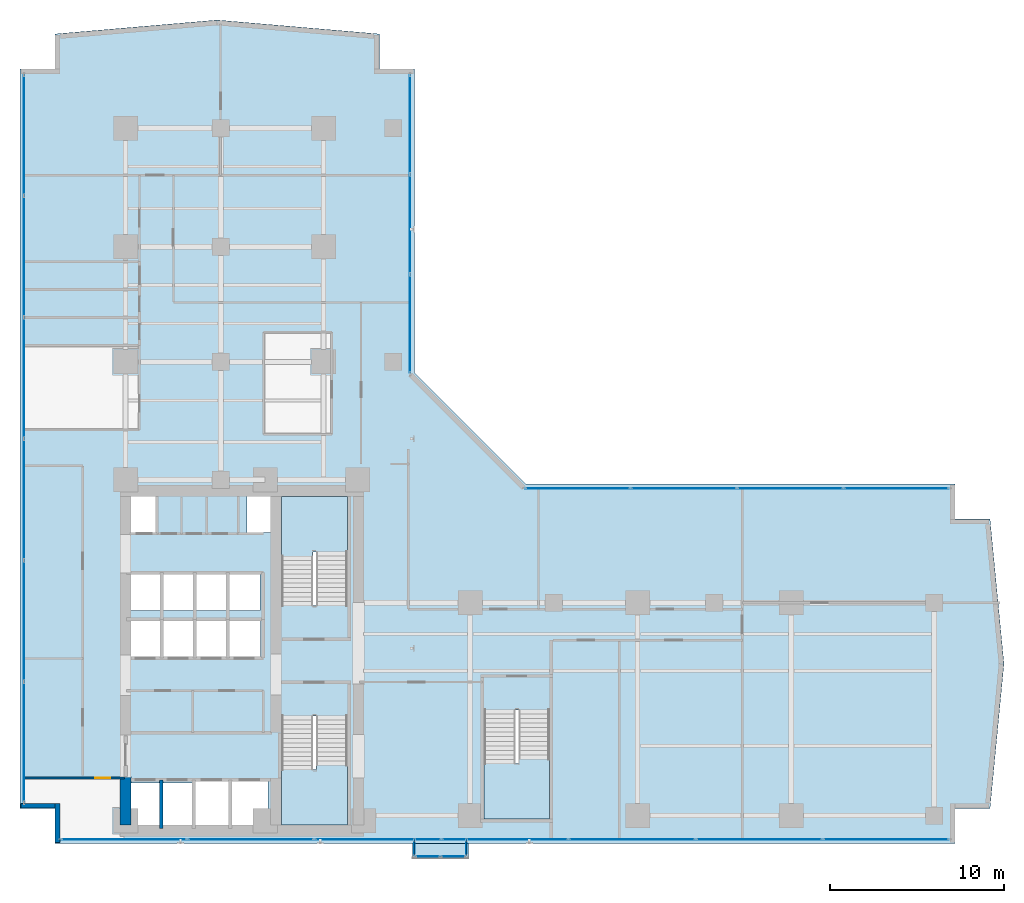
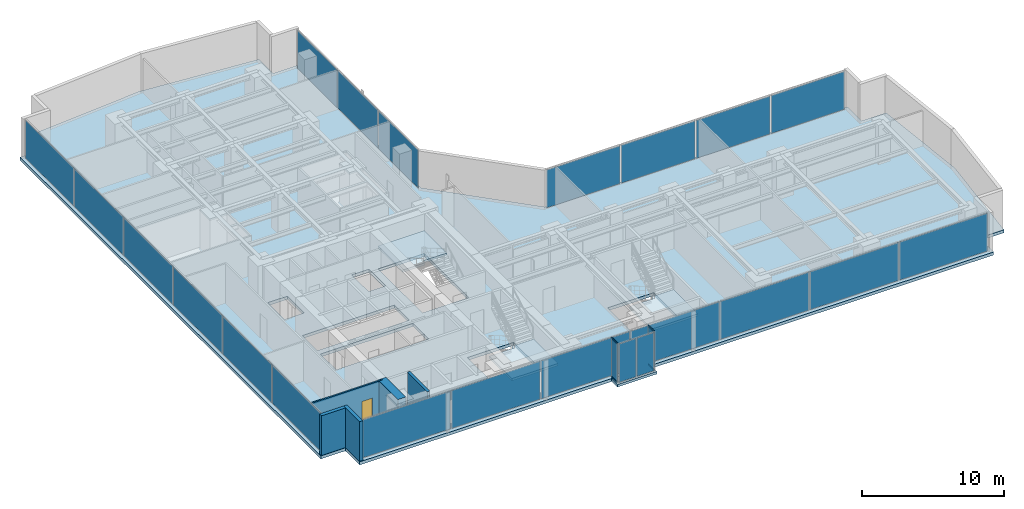
# One storey, part 18 of 25: 24 plates, 5 slabs, 5 walls, 4 members, 1 door, 1 opening, 10 elements without a shape of their own.
"""IFC4 building model written with IfcOpenShell, lengths in metres."""

from ifc_helpers import new_model, si_unit, direction, frame, frame_2d, origin, origin_with_axes, origin_2d, place, context, subcontext, project, spatial, polyline, rectangle, hollow_rectangle, outline, extrude, source, transform, mapped, material, layer, layer_set, material_profile, profile_set, type_object, element, fill, aggregate, save


model = new_model("IFC4")

# Units and contexts
model_context = context("Model", 3, precision=1e-05, world=origin(), true_north=direction((0.0, 1.0)))
body_context = subcontext(model_context, "Body", "Model", "MODEL_VIEW")
ifc_project = project(units=[si_unit("LENGTHUNIT", "METRE"), si_unit("AREAUNIT", "SQUARE_METRE"), si_unit("VOLUMEUNIT", "CUBIC_METRE"), si_unit("PLANEANGLEUNIT", "RADIAN"), si_unit("MASSUNIT", "GRAM", prefix="KILO")], contexts=[model_context])

# Site, building, storey
site_placement = place(None, origin())
site = spatial("IfcSite", under=ifc_project, at=site_placement, CompositionType="ELEMENT")
building_placement = place(site_placement, origin())
building = spatial("IfcBuilding", under=site, at=building_placement, Name="Kolvaren Waterfront Exchange", CompositionType="ELEMENT")
storey_placement = place(building_placement, frame((0.0, 0.0, 137.300048828125)))
storey = spatial("IfcBuildingStorey", under=building, at=storey_placement, Name="L35", CompositionType="ELEMENT", Elevation=137.300048828125)

# Curtain wall, members
ifc_material_1 = material(Name="Anodised bronze aluminium 6063-T6", Category="aluminium")
ifc_layer_1 = layer(ifc_material_1, 0.219970703125, Name="Anodised bronze aluminium 6063-T6")
ifc_layer_set_1 = layer_set([ifc_layer_1], Name="Anodised bronze aluminium 6063-T6")
curtain_wall_type_1 = type_object("IfcCurtainWallType", Name="ARC-CW-SYS3", PredefinedType="USERDEFINED", material=ifc_layer_set_1)
curtain_wall_1_placement = place(storey_placement, origin())
curtain_wall_1 = element("IfcCurtainWall", 1, at=curtain_wall_1_placement, inside=storey, type_object=curtain_wall_type_1, Name="L35 stick curtain wall CW3 (CW-L35-BOX-W)", ObjectType="STICK CURTAIN WALL", PredefinedType="USERDEFINED")
ifc_material_profile = material_profile(ifc_material_1, hollow_rectangle(XDim=0.06494140625, YDim=0.1298828125, WallThickness=0.00390625, at=origin_2d()), Name="ALU-TRN-130x65x4")
ifc_profile_set = profile_set([ifc_material_profile], Name="Anodised bronze aluminium 6063-T6")
member_type = type_object("IfcMemberType", Name="ARC-CWT-130", PredefinedType="USERDEFINED", material=ifc_profile_set)
shared_shape_1 = source(origin_with_axes(), body_context, "Body", "SweptSolid", [
    extrude(hollow_rectangle(XDim=0.06494140625, YDim=0.1298828125, WallThickness=0.00390625, at=origin_2d()), origin(), (0.0, 0.0, 1.0), 0.829833984375),
])
member_1_placement = place(storey_placement, frame((24.010009765625, 3.764892578125, 0.032470703125), z_axis=(0.0, -1.0, 0.0), x_axis=(1.0, 0.0, 0.0)))
member_1 = element("IfcMember", 2, at=member_1_placement, type_object=member_type, Name="CW3 transom 1.1", ObjectType="TRANSOM", PredefinedType="USERDEFINED", context=body_context, shape_type="MappedRepresentation", body=[
    mapped(shared_shape_1, transform((0.0, 0.0, 0.0), x_axis=(1.0, 0.0, 0.0), y_axis=(0.0, 1.0, 0.0), z_axis=(0.0, 0.0, 1.0), scale=1.0)),
])
member_2_placement = place(storey_placement, frame((24.010009765625, 3.764892578125, 3.387451171875), z_axis=(0.0, -1.0, 0.0), x_axis=(1.0, 0.0, 0.0)))
member_2 = element("IfcMember", 3, at=member_2_placement, type_object=member_type, Name="CW3 transom 1.2", ObjectType="TRANSOM", PredefinedType="USERDEFINED", context=body_context, shape_type="MappedRepresentation", body=[
    mapped(shared_shape_1, transform((0.0, 0.0, 0.0), x_axis=(1.0, 0.0, 0.0), y_axis=(0.0, 1.0, 0.0), z_axis=(0.0, 0.0, 1.0), scale=1.0)),
])

curtain_wall_2_placement = place(storey_placement, origin())
curtain_wall_2 = element("IfcCurtainWall", 4, at=curtain_wall_2_placement, inside=storey, type_object=curtain_wall_type_1, Name="L35 stick curtain wall CW3 (CW-L35-BOX-E)", ObjectType="STICK CURTAIN WALL", PredefinedType="USERDEFINED")
member_3_placement = place(storey_placement, frame((26.989990234375, 2.93505859375, 0.032470703125), z_axis=(0.0, 1.0, 0.0), x_axis=(-1.0, 0.0, 0.0)))
member_3 = element("IfcMember", 5, at=member_3_placement, type_object=member_type, Name="CW3 transom 1.1", ObjectType="TRANSOM", PredefinedType="USERDEFINED", context=body_context, shape_type="MappedRepresentation", body=[
    mapped(shared_shape_1, transform((0.0, 0.0, 0.0), x_axis=(1.0, 0.0, 0.0), y_axis=(0.0, 1.0, 0.0), z_axis=(0.0, 0.0, 1.0), scale=1.0)),
])
member_4_placement = place(storey_placement, frame((26.989990234375, 2.93505859375, 3.387451171875), z_axis=(0.0, 1.0, 0.0), x_axis=(-1.0, 0.0, 0.0)))
member_4 = element("IfcMember", 6, at=member_4_placement, type_object=member_type, Name="CW3 transom 1.2", ObjectType="TRANSOM", PredefinedType="USERDEFINED", context=body_context, shape_type="MappedRepresentation", body=[
    mapped(shared_shape_1, transform((0.0, 0.0, 0.0), x_axis=(1.0, 0.0, 0.0), y_axis=(0.0, 1.0, 0.0), z_axis=(0.0, 0.0, 1.0), scale=1.0)),
])

# Stair, slab
ifc_material_2 = material(Name="Concrete C40/50", Category="concrete")
stair_type = type_object("IfcStairType", Name="ARC-STAIR-3800", PredefinedType="HALF_TURN_STAIR", material=ifc_material_2)
stair_1_placement = place(storey_placement, origin())
stair_1 = element("IfcStair", 7, at=stair_1_placement, inside=storey, type_object=stair_type, Name="L35 Smoke-proof exit stair ST1", PredefinedType="HALF_TURN_STAIR")
ifc_layer_2 = layer(ifc_material_2, 0.199951171875, Name="Concrete C40/50")
ifc_layer_set_2 = layer_set([ifc_layer_2], Name="Concrete C40/50")
slab_type_1 = type_object("IfcSlabType", Name="STR-LANDING-200", PredefinedType="LANDING", material=ifc_layer_set_2)
slab_1_placement = place(storey_placement, frame((0.0, 0.0, 1.77587890625)))
slab_1 = element("IfcSlab", 8, at=slab_1_placement, type_object=slab_type_1, Name="ST1 landing 1", PredefinedType="LANDING", context=body_context, shape_type="SweptSolid", body=[
    extrude(outline(polyline([(16.39990234375, 7.840087890625), (16.39990234375, 4.64990234375), (20.159912109375, 4.64990234375), (20.159912109375, 8.10009765625), (18.360107421875, 8.10009765625), (18.360107421875, 7.840087890625), (16.39990234375, 7.840087890625)])), origin(), (0.0, 0.0, 1.0), 0.199951171875),
])
aggregate(stair_1, [slab_1])

stair_2_placement = place(storey_placement, origin())
stair_2 = element("IfcStair", 9, at=stair_2_placement, inside=storey, type_object=stair_type, Name="L35 Smoke-proof exit stair ST2", PredefinedType="HALF_TURN_STAIR")
slab_2_placement = place(storey_placement, frame((0.0, 0.0, 1.77587890625)))
slab_2 = element("IfcSlab", 10, at=slab_2_placement, type_object=slab_type_1, Name="ST2 landing 1", PredefinedType="LANDING", context=body_context, shape_type="SweptSolid", body=[
    extrude(outline(polyline([(20.159912109375, 20.31005859375), (20.159912109375, 23.5), (16.39990234375, 23.5), (16.39990234375, 20.050048828125), (18.199951171875, 20.050048828125), (18.199951171875, 20.31005859375), (20.159912109375, 20.31005859375)])), origin(), (0.0, 0.0, 1.0), 0.199951171875),
])
aggregate(stair_2, [slab_2])

stair_3_placement = place(storey_placement, origin())
stair_3 = element("IfcStair", 11, at=stair_3_placement, inside=storey, type_object=stair_type, Name="L35 Exit stair ST3", PredefinedType="HALF_TURN_STAIR")
slab_3_placement = place(storey_placement, frame((0.0, 0.0, 1.77587890625)))
slab_3 = element("IfcSlab", 12, at=slab_3_placement, type_object=slab_type_1, Name="ST3 landing 1", PredefinedType="LANDING", context=body_context, shape_type="SweptSolid", body=[
    extrude(outline(polyline([(28.0, 8.18994140625), (28.0, 5.0), (31.760009765625, 5.0), (31.760009765625, 8.449951171875), (29.9599609375, 8.449951171875), (29.9599609375, 8.18994140625), (28.0, 8.18994140625)])), origin(), (0.0, 0.0, 1.0), 0.199951171875),
])
aggregate(stair_3, [slab_3])

# Slabs
ifc_layer_3 = layer(ifc_material_2, 0.260009765625, Name="Concrete C40/50")
ifc_layer_set_3 = layer_set([ifc_layer_3], Name="Concrete C40/50")
slab_type_2 = type_object("IfcSlabType", Name="STR-SLAB-260", PredefinedType="FLOOR", material=ifc_layer_set_3)
slab_4_placement = place(storey_placement, frame((0.0, 0.0, -0.260009765625)))
element("IfcSlab", 13, at=slab_4_placement, inside=storey, type_object=slab_type_2, Name="L35 structural floor slab", PredefinedType="FLOOR", context=body_context, shape_type="SweptSolid", body=[
    extrude(outline(polyline([(3.39990234375, 3.60009765625), (55.0, 3.60009765625), (55.0, 5.60009765625), (57.0, 5.60009765625), (57.800048828125, 13.89990234375), (57.0, 22.199951171875), (55.0, 22.199951171875), (55.0, 24.199951171875), (30.39990234375, 24.199951171875), (24.0, 30.60009765625), (24.0, 48.0), (22.0, 48.0), (22.0, 50.0), (12.699951171875, 50.800048828125), (3.39990234375, 50.0), (3.39990234375, 48.0), (1.39990234375, 48.0), (1.39990234375, 5.60009765625), (3.39990234375, 5.60009765625), (3.39990234375, 3.60009765625)]), holes=[polyline([(11.320068359375, 7.260009765625), (15.610107421875, 7.260009765625), (15.610107421875, 4.5400390625), (7.719970703125, 4.5400390625), (7.719970703125, 7.06005859375), (11.320068359375, 7.06005859375), (11.320068359375, 7.260009765625)]), polyline([(20.159912109375, 10.89990234375), (20.159912109375, 4.64990234375), (16.39990234375, 4.64990234375), (16.39990234375, 10.89990234375), (20.159912109375, 10.89990234375)]), polyline([(31.760009765625, 11.25), (31.760009765625, 5.0), (28.0, 5.0), (28.0, 11.25), (31.760009765625, 11.25)]), polyline([(15.18505859375, 14.239990234375), (7.64501953125, 14.239990234375), (7.64501953125, 16.4599609375), (15.18505859375, 16.4599609375), (15.18505859375, 14.239990234375)]), polyline([(15.159912109375, 16.93994140625), (7.669921875, 16.93994140625), (7.669921875, 19.06005859375), (15.159912109375, 19.06005859375), (15.159912109375, 16.93994140625)]), polyline([(16.39990234375, 23.5), (20.159912109375, 23.5), (20.159912109375, 17.25), (16.39990234375, 17.25), (16.39990234375, 23.5)]), polyline([(7.60009765625, 23.780029296875), (9.179931640625, 23.780029296875), (9.179931640625, 21.419921875), (7.60009765625, 21.419921875), (7.60009765625, 23.780029296875)]), polyline([(15.800048828125, 23.780029296875), (15.800048828125, 21.419921875), (14.419921875, 21.419921875), (14.419921875, 23.780029296875), (15.800048828125, 23.780029296875)])]), origin(), (0.0, 0.0, 1.0), 0.260009765625),
])
ifc_layer_4 = layer(ifc_material_2, 0.219970703125, Name="Concrete C40/50")
ifc_layer_set_4 = layer_set([ifc_layer_4], Name="Concrete C40/50")
slab_type_3 = type_object("IfcSlabType", Name="STR-TERR-220", PredefinedType="FLOOR", material=ifc_layer_set_4)
slab_5_placement = place(storey_placement, frame((0.0, 0.0, -0.219970703125)))
element("IfcSlab", 14, at=slab_5_placement, inside=storey, type_object=slab_type_3, Name="L35 projecting bay-box floor strip", PredefinedType="FLOOR", context=body_context, shape_type="SweptSolid", body=[
    extrude(outline(polyline([(23.89990234375, 2.75), (27.10009765625, 2.75), (27.10009765625, 3.60009765625), (23.89990234375, 3.60009765625), (23.89990234375, 2.75)])), origin(), (0.0, 0.0, 1.0), 0.219970703125),
])

# Plate
ifc_material_3 = material(Name="Bronze tinted bay-box vision glass", Category="aluminium")
ifc_layer_5 = layer(ifc_material_3, 0.02392578125, Name="Bronze tinted bay-box vision glass")
ifc_layer_set_5 = layer_set([ifc_layer_5], Name="Bronze tinted bay-box vision glass")
plate_type_1 = type_object("IfcPlateType", Name="ARC-CWP-24", PredefinedType="CURTAIN_PANEL", material=ifc_layer_set_5)
shared_shape_2 = source(origin_with_axes(), body_context, "Body", "SweptSolid", [
    extrude(rectangle(XDim=0.830078125, YDim=0.02392578125, at=origin_2d()), origin(), (0.0, 0.0, 1.0), 3.2900390625),
])
plate_1_placement = place(storey_placement, frame((24.010009765625, 3.35009765625, 0.06494140625), z_axis=(0.0, 0.0, 1.0), x_axis=(0.0, -1.0, 0.0)))
plate_1 = element("IfcPlate", 15, at=plate_1_placement, type_object=plate_type_1, Name="CW3 panel 1.1", PredefinedType="CURTAIN_PANEL", context=body_context, shape_type="MappedRepresentation", body=[
    mapped(shared_shape_2, transform((0.0, 0.0, 0.0), x_axis=(1.0, 0.0, 0.0), y_axis=(0.0, 1.0, 0.0), z_axis=(0.0, 0.0, 1.0), scale=1.0)),
])

aggregate(curtain_wall_1, [member_1, member_2, plate_1])

plate_2_placement = place(storey_placement, frame((26.989990234375, 3.35009765625, 0.06494140625), z_axis=(0.0, 0.0, 1.0), x_axis=(0.0, 1.0, 0.0)))
plate_2 = element("IfcPlate", 16, at=plate_2_placement, type_object=plate_type_1, Name="CW3 panel 1.1", PredefinedType="CURTAIN_PANEL", context=body_context, shape_type="MappedRepresentation", body=[
    mapped(shared_shape_2, transform((0.0, 0.0, 0.0), x_axis=(1.0, 0.0, 0.0), y_axis=(0.0, 1.0, 0.0), z_axis=(0.0, 0.0, 1.0), scale=1.0)),
])

aggregate(curtain_wall_2, [member_3, member_4, plate_2])

# Curtain wall, plates
curtain_wall_3_placement = place(storey_placement, origin())
curtain_wall_3 = element("IfcCurtainWall", 17, at=curtain_wall_3_placement, inside=storey, type_object=curtain_wall_type_1, Name="L35 stick curtain wall CW3 (CW-L35-BOX)", ObjectType="STICK CURTAIN WALL", PredefinedType="USERDEFINED")
shared_shape_3 = source(origin_with_axes(), body_context, "Body", "SweptSolid", [
    extrude(rectangle(XDim=1.37744140625, YDim=0.02392578125, at=origin_2d()), origin(), (0.0, 0.0, 1.0), 3.2900390625),
])
plate_3_placement = place(storey_placement, frame((24.773681640625, 2.860107421875, 0.06494140625), z_axis=(0.0, 0.0, 1.0), x_axis=(1.0, 0.0, 0.0)))
plate_3 = element("IfcPlate", 18, at=plate_3_placement, type_object=plate_type_1, Name="CW3 panel 1.1", PredefinedType="CURTAIN_PANEL", context=body_context, shape_type="MappedRepresentation", body=[
    mapped(shared_shape_3, transform((0.0, 0.0, 0.0), x_axis=(1.0, 0.0, 0.0), y_axis=(0.0, 1.0, 0.0), z_axis=(0.0, 0.0, 1.0), scale=1.0)),
])
plate_4_placement = place(storey_placement, frame((26.226318359375, 2.860107421875, 0.06494140625), z_axis=(0.0, 0.0, 1.0), x_axis=(1.0, 0.0, 0.0)))
plate_4 = element("IfcPlate", 19, at=plate_4_placement, type_object=plate_type_1, Name="CW3 panel 2.1", PredefinedType="CURTAIN_PANEL", context=body_context, shape_type="MappedRepresentation", body=[
    mapped(shared_shape_3, transform((0.0, 0.0, 0.0), x_axis=(1.0, 0.0, 0.0), y_axis=(0.0, 1.0, 0.0), z_axis=(0.0, 0.0, 1.0), scale=1.0)),
])
aggregate(curtain_wall_3, [plate_3, plate_4])

ifc_layer_6 = layer(ifc_material_1, 0.219970703125, Name="Anodised bronze aluminium 6063-T6")
ifc_layer_set_6 = layer_set([ifc_layer_6], Name="Anodised bronze aluminium 6063-T6")
curtain_wall_type_2 = type_object("IfcCurtainWallType", Name="ARC-CW-SYS1", PredefinedType="USERDEFINED", material=ifc_layer_set_6)
curtain_wall_4_placement = place(storey_placement, origin())
curtain_wall_4 = element("IfcCurtainWall", 20, at=curtain_wall_4_placement, inside=storey, type_object=curtain_wall_type_2, Name="L35 stick curtain wall CW1 (CW-L35-S)", ObjectType="STICK CURTAIN WALL", PredefinedType="USERDEFINED")
ifc_material_4 = material(Name="Bronze solar control vision glass", Category="aluminium")
ifc_layer_7 = layer(ifc_material_4, 0.028076171875, Name="Bronze solar control vision glass")
ifc_layer_set_7 = layer_set([ifc_layer_7], Name="Bronze solar control vision glass")
plate_type_2 = type_object("IfcPlateType", Name="ARC-CWP-28", PredefinedType="CURTAIN_PANEL", material=ifc_layer_set_7)
shared_shape_4 = source(origin_with_axes(), body_context, "Body", "SweptSolid", [
    extrude(rectangle(XDim=7.165771484375, YDim=0.028076171875, at=origin_2d()), origin(), (0.0, 0.0, 1.0), 3.27001953125),
])
plate_5_placement = place(storey_placement, frame((7.36279296875, 3.840087890625, 0.074951171875), z_axis=(0.0, 0.0, 1.0), x_axis=(1.0, 0.0, 0.0)))
plate_5 = element("IfcPlate", 21, at=plate_5_placement, type_object=plate_type_2, Name="CW1 panel 1.1", PredefinedType="CURTAIN_PANEL", context=body_context, shape_type="MappedRepresentation", body=[
    mapped(shared_shape_4, transform((0.0, 0.0, 0.0), x_axis=(1.0, 0.0, 0.0), y_axis=(0.0, 1.0, 0.0), z_axis=(0.0, 0.0, 1.0), scale=1.0)),
])
plate_6_placement = place(storey_placement, frame((51.037109375, 3.840087890625, 0.074951171875), z_axis=(0.0, 0.0, 1.0), x_axis=(1.0, 0.0, 0.0)))
plate_6 = element("IfcPlate", 22, at=plate_6_placement, type_object=plate_type_2, Name="CW1 panel 7.1", PredefinedType="CURTAIN_PANEL", context=body_context, shape_type="MappedRepresentation", body=[
    mapped(shared_shape_4, transform((0.0, 0.0, 0.0), x_axis=(1.0, 0.0, 0.0), y_axis=(0.0, 1.0, 0.0), z_axis=(0.0, 0.0, 1.0), scale=1.0)),
])
shared_shape_5 = source(origin_with_axes(), body_context, "Body", "SweptSolid", [
    extrude(rectangle(XDim=7.205810546875, YDim=0.028076171875, at=origin_2d()), origin(), (0.0, 0.0, 1.0), 3.27001953125),
])
plate_7_placement = place(storey_placement, frame((14.628662109375, 3.840087890625, 0.074951171875), z_axis=(0.0, 0.0, 1.0), x_axis=(1.0, 0.0, 0.0)))
plate_7 = element("IfcPlate", 23, at=plate_7_placement, type_object=plate_type_2, Name="CW1 panel 2.1", PredefinedType="CURTAIN_PANEL", context=body_context, shape_type="MappedRepresentation", body=[
    mapped(shared_shape_5, transform((0.0, 0.0, 0.0), x_axis=(1.0, 0.0, 0.0), y_axis=(0.0, 1.0, 0.0), z_axis=(0.0, 0.0, 1.0), scale=1.0)),
])
plate_8_placement = place(storey_placement, frame((21.914306640625, 3.840087890625, 0.074951171875), z_axis=(0.0, 0.0, 1.0), x_axis=(1.0, 0.0, 0.0)))
plate_8 = element("IfcPlate", 24, at=plate_8_placement, type_object=plate_type_2, Name="CW1 panel 3.1", PredefinedType="CURTAIN_PANEL", context=body_context, shape_type="MappedRepresentation", body=[
    mapped(shared_shape_5, transform((0.0, 0.0, 0.0), x_axis=(1.0, 0.0, 0.0), y_axis=(0.0, 1.0, 0.0), z_axis=(0.0, 0.0, 1.0), scale=1.0)),
])
plate_9_placement = place(storey_placement, frame((29.199951171875, 3.840087890625, 0.074951171875), z_axis=(0.0, 0.0, 1.0), x_axis=(1.0, 0.0, 0.0)))
plate_9 = element("IfcPlate", 25, at=plate_9_placement, type_object=plate_type_2, Name="CW1 panel 4.1", PredefinedType="CURTAIN_PANEL", context=body_context, shape_type="MappedRepresentation", body=[
    mapped(shared_shape_5, transform((0.0, 0.0, 0.0), x_axis=(1.0, 0.0, 0.0), y_axis=(0.0, 1.0, 0.0), z_axis=(0.0, 0.0, 1.0), scale=1.0)),
])
plate_10_placement = place(storey_placement, frame((36.485595703125, 3.840087890625, 0.074951171875), z_axis=(0.0, 0.0, 1.0), x_axis=(1.0, 0.0, 0.0)))
plate_10 = element("IfcPlate", 26, at=plate_10_placement, type_object=plate_type_2, Name="CW1 panel 5.1", PredefinedType="CURTAIN_PANEL", context=body_context, shape_type="MappedRepresentation", body=[
    mapped(shared_shape_5, transform((0.0, 0.0, 0.0), x_axis=(1.0, 0.0, 0.0), y_axis=(0.0, 1.0, 0.0), z_axis=(0.0, 0.0, 1.0), scale=1.0)),
])
plate_11_placement = place(storey_placement, frame((43.771484375, 3.840087890625, 0.074951171875), z_axis=(0.0, 0.0, 1.0), x_axis=(1.0, 0.0, 0.0)))
plate_11 = element("IfcPlate", 27, at=plate_11_placement, type_object=plate_type_2, Name="CW1 panel 6.1", PredefinedType="CURTAIN_PANEL", context=body_context, shape_type="MappedRepresentation", body=[
    mapped(shared_shape_5, transform((0.0, 0.0, 0.0), x_axis=(1.0, 0.0, 0.0), y_axis=(0.0, 1.0, 0.0), z_axis=(0.0, 0.0, 1.0), scale=1.0)),
])
aggregate(curtain_wall_4, [plate_5, plate_7, plate_8, plate_9, plate_10, plate_11, plate_6])

ifc_material_5 = material(Name="Anodised aluminium 6063-T6", Category="aluminium")
ifc_layer_8 = layer(ifc_material_5, 0.219970703125, Name="Anodised aluminium 6063-T6")
ifc_layer_set_8 = layer_set([ifc_layer_8], Name="Anodised aluminium 6063-T6")
curtain_wall_type_3 = type_object("IfcCurtainWallType", Name="ARC-CW-SYS2", PredefinedType="USERDEFINED", material=ifc_layer_set_8)
curtain_wall_5_placement = place(storey_placement, origin())
curtain_wall_5 = element("IfcCurtainWall", 28, at=curtain_wall_5_placement, inside=storey, type_object=curtain_wall_type_3, Name="L35 stick curtain wall CW2 (CW-L35-W)", ObjectType="STICK CURTAIN WALL", PredefinedType="USERDEFINED")
ifc_material_6 = material(Name="Acoustic laminated vision glass", Category="glass")
ifc_layer_9 = layer(ifc_material_6, 0.031982421875, Name="Acoustic laminated vision glass")
ifc_layer_set_9 = layer_set([ifc_layer_9], Name="Acoustic laminated vision glass")
plate_type_3 = type_object("IfcPlateType", Name="ARC-CWP-32", PredefinedType="CURTAIN_PANEL", material=ifc_layer_set_9)
shared_shape_6 = source(origin_with_axes(), body_context, "Body", "SweptSolid", [
    extrude(rectangle(XDim=6.8466796875, YDim=0.031982421875, at=origin_2d()), origin(), (0.0, 0.0, 1.0), 3.27001953125),
])
plate_12_placement = place(storey_placement, frame((1.639892578125, 9.4033203125, 0.074951171875), z_axis=(0.0, 0.0, 1.0), x_axis=(0.0, 1.0, 0.0)))
plate_12 = element("IfcPlate", 29, at=plate_12_placement, type_object=plate_type_3, Name="CW2 panel 1.1", PredefinedType="CURTAIN_PANEL", context=body_context, shape_type="MappedRepresentation", body=[
    mapped(shared_shape_6, transform((0.0, 0.0, 0.0), x_axis=(1.0, 0.0, 0.0), y_axis=(0.0, 1.0, 0.0), z_axis=(0.0, 0.0, 1.0), scale=1.0)),
])
plate_13_placement = place(storey_placement, frame((1.639892578125, 44.19677734375, 0.074951171875), z_axis=(0.0, 0.0, 1.0), x_axis=(0.0, 1.0, 0.0)))
plate_13 = element("IfcPlate", 30, at=plate_13_placement, type_object=plate_type_3, Name="CW2 panel 6.1", PredefinedType="CURTAIN_PANEL", context=body_context, shape_type="MappedRepresentation", body=[
    mapped(shared_shape_6, transform((0.0, 0.0, 0.0), x_axis=(1.0, 0.0, 0.0), y_axis=(0.0, 1.0, 0.0), z_axis=(0.0, 0.0, 1.0), scale=1.0)),
])
shared_shape_7 = source(origin_with_axes(), body_context, "Body", "SweptSolid", [
    extrude(rectangle(XDim=6.88671875, YDim=0.031982421875, at=origin_2d()), origin(), (0.0, 0.0, 1.0), 3.27001953125),
])
plate_14_placement = place(storey_placement, frame((1.639892578125, 16.35009765625, 0.074951171875), z_axis=(0.0, 0.0, 1.0), x_axis=(0.0, 1.0, 0.0)))
plate_14 = element("IfcPlate", 31, at=plate_14_placement, type_object=plate_type_3, Name="CW2 panel 2.1", PredefinedType="CURTAIN_PANEL", context=body_context, shape_type="MappedRepresentation", body=[
    mapped(shared_shape_7, transform((0.0, 0.0, 0.0), x_axis=(1.0, 0.0, 0.0), y_axis=(0.0, 1.0, 0.0), z_axis=(0.0, 0.0, 1.0), scale=1.0)),
])
plate_15_placement = place(storey_placement, frame((1.639892578125, 23.316650390625, 0.074951171875), z_axis=(0.0, 0.0, 1.0), x_axis=(0.0, 1.0, 0.0)))
plate_15 = element("IfcPlate", 32, at=plate_15_placement, type_object=plate_type_3, Name="CW2 panel 3.1", PredefinedType="CURTAIN_PANEL", context=body_context, shape_type="MappedRepresentation", body=[
    mapped(shared_shape_7, transform((0.0, 0.0, 0.0), x_axis=(1.0, 0.0, 0.0), y_axis=(0.0, 1.0, 0.0), z_axis=(0.0, 0.0, 1.0), scale=1.0)),
])
plate_16_placement = place(storey_placement, frame((1.639892578125, 30.283447265625, 0.074951171875), z_axis=(0.0, 0.0, 1.0), x_axis=(0.0, 1.0, 0.0)))
plate_16 = element("IfcPlate", 33, at=plate_16_placement, type_object=plate_type_3, Name="CW2 panel 4.1", PredefinedType="CURTAIN_PANEL", context=body_context, shape_type="MappedRepresentation", body=[
    mapped(shared_shape_7, transform((0.0, 0.0, 0.0), x_axis=(1.0, 0.0, 0.0), y_axis=(0.0, 1.0, 0.0), z_axis=(0.0, 0.0, 1.0), scale=1.0)),
])
plate_17_placement = place(storey_placement, frame((1.639892578125, 37.25, 0.074951171875), z_axis=(0.0, 0.0, 1.0), x_axis=(0.0, 1.0, 0.0)))
plate_17 = element("IfcPlate", 34, at=plate_17_placement, type_object=plate_type_3, Name="CW2 panel 5.1", PredefinedType="CURTAIN_PANEL", context=body_context, shape_type="MappedRepresentation", body=[
    mapped(shared_shape_7, transform((0.0, 0.0, 0.0), x_axis=(1.0, 0.0, 0.0), y_axis=(0.0, 1.0, 0.0), z_axis=(0.0, 0.0, 1.0), scale=1.0)),
])
aggregate(curtain_wall_5, [plate_12, plate_14, plate_15, plate_16, plate_17, plate_13])

curtain_wall_6_placement = place(storey_placement, origin())
curtain_wall_6 = element("IfcCurtainWall", 35, at=curtain_wall_6_placement, inside=storey, type_object=curtain_wall_type_2, Name="L35 stick curtain wall CW1 (CW-L35-NE)", ObjectType="STICK CURTAIN WALL", PredefinedType="USERDEFINED")
shared_shape_8 = source(origin_with_axes(), body_context, "Body", "SweptSolid", [
    extrude(rectangle(XDim=5.61669921875, YDim=0.028076171875, at=origin_2d()), origin(), (0.0, 0.0, 1.0), 3.27001953125),
])
plate_18_placement = place(storey_placement, frame((23.760009765625, 33.37841796875, 0.074951171875), z_axis=(0.0, 0.0, 1.0), x_axis=(0.0, 1.0, 0.0)))
plate_18 = element("IfcPlate", 36, at=plate_18_placement, type_object=plate_type_2, Name="CW1 panel 1.1", PredefinedType="CURTAIN_PANEL", context=body_context, shape_type="MappedRepresentation", body=[
    mapped(shared_shape_8, transform((0.0, 0.0, 0.0), x_axis=(1.0, 0.0, 0.0), y_axis=(0.0, 1.0, 0.0), z_axis=(0.0, 0.0, 1.0), scale=1.0)),
])
plate_19_placement = place(storey_placement, frame((23.760009765625, 44.811767578125, 0.074951171875), z_axis=(0.0, 0.0, 1.0), x_axis=(0.0, 1.0, 0.0)))
plate_19 = element("IfcPlate", 37, at=plate_19_placement, type_object=plate_type_2, Name="CW1 panel 3.1", PredefinedType="CURTAIN_PANEL", context=body_context, shape_type="MappedRepresentation", body=[
    mapped(shared_shape_8, transform((0.0, 0.0, 0.0), x_axis=(1.0, 0.0, 0.0), y_axis=(0.0, 1.0, 0.0), z_axis=(0.0, 0.0, 1.0), scale=1.0)),
])
shared_shape_9 = source(origin_with_axes(), body_context, "Body", "SweptSolid", [
    extrude(rectangle(XDim=5.65673828125, YDim=0.028076171875, at=origin_2d()), origin(), (0.0, 0.0, 1.0), 3.27001953125),
])
plate_20_placement = place(storey_placement, frame((23.760009765625, 39.094970703125, 0.074951171875), z_axis=(0.0, 0.0, 1.0), x_axis=(0.0, 1.0, 0.0)))
plate_20 = element("IfcPlate", 38, at=plate_20_placement, type_object=plate_type_2, Name="CW1 panel 2.1", PredefinedType="CURTAIN_PANEL", context=body_context, shape_type="MappedRepresentation", body=[
    mapped(shared_shape_9, transform((0.0, 0.0, 0.0), x_axis=(1.0, 0.0, 0.0), y_axis=(0.0, 1.0, 0.0), z_axis=(0.0, 0.0, 1.0), scale=1.0)),
])
aggregate(curtain_wall_6, [plate_18, plate_20, plate_19])

curtain_wall_7_placement = place(storey_placement, origin())
curtain_wall_7 = element("IfcCurtainWall", 39, at=curtain_wall_7_placement, inside=storey, type_object=curtain_wall_type_2, Name="L35 stick curtain wall CW1 (CW-L35-EN)", ObjectType="STICK CURTAIN WALL", PredefinedType="USERDEFINED")
shared_shape_10 = source(origin_with_axes(), body_context, "Body", "SweptSolid", [
    extrude(rectangle(XDim=5.982421875, YDim=0.028076171875, at=origin_2d()), origin(), (0.0, 0.0, 1.0), 3.27001953125),
])
plate_21_placement = place(storey_placement, frame((33.361328125, 23.9599609375, 0.074951171875), z_axis=(0.0, 0.0, 1.0), x_axis=(1.0, 0.0, 0.0)))
plate_21 = element("IfcPlate", 40, at=plate_21_placement, type_object=plate_type_2, Name="CW1 panel 1.1", PredefinedType="CURTAIN_PANEL", context=body_context, shape_type="MappedRepresentation", body=[
    mapped(shared_shape_10, transform((0.0, 0.0, 0.0), x_axis=(1.0, 0.0, 0.0), y_axis=(0.0, 1.0, 0.0), z_axis=(0.0, 0.0, 1.0), scale=1.0)),
])
plate_22_placement = place(storey_placement, frame((51.628662109375, 23.9599609375, 0.074951171875), z_axis=(0.0, 0.0, 1.0), x_axis=(1.0, 0.0, 0.0)))
plate_22 = element("IfcPlate", 41, at=plate_22_placement, type_object=plate_type_2, Name="CW1 panel 4.1", PredefinedType="CURTAIN_PANEL", context=body_context, shape_type="MappedRepresentation", body=[
    mapped(shared_shape_10, transform((0.0, 0.0, 0.0), x_axis=(1.0, 0.0, 0.0), y_axis=(0.0, 1.0, 0.0), z_axis=(0.0, 0.0, 1.0), scale=1.0)),
])
shared_shape_11 = source(origin_with_axes(), body_context, "Body", "SweptSolid", [
    extrude(rectangle(XDim=6.0224609375, YDim=0.028076171875, at=origin_2d()), origin(), (0.0, 0.0, 1.0), 3.27001953125),
])
plate_23_placement = place(storey_placement, frame((39.44384765625, 23.9599609375, 0.074951171875), z_axis=(0.0, 0.0, 1.0), x_axis=(1.0, 0.0, 0.0)))
plate_23 = element("IfcPlate", 42, at=plate_23_placement, type_object=plate_type_2, Name="CW1 panel 2.1", PredefinedType="CURTAIN_PANEL", context=body_context, shape_type="MappedRepresentation", body=[
    mapped(shared_shape_11, transform((0.0, 0.0, 0.0), x_axis=(1.0, 0.0, 0.0), y_axis=(0.0, 1.0, 0.0), z_axis=(0.0, 0.0, 1.0), scale=1.0)),
])
plate_24_placement = place(storey_placement, frame((45.546142578125, 23.9599609375, 0.074951171875), z_axis=(0.0, 0.0, 1.0), x_axis=(1.0, 0.0, 0.0)))
plate_24 = element("IfcPlate", 43, at=plate_24_placement, type_object=plate_type_2, Name="CW1 panel 3.1", PredefinedType="CURTAIN_PANEL", context=body_context, shape_type="MappedRepresentation", body=[
    mapped(shared_shape_11, transform((0.0, 0.0, 0.0), x_axis=(1.0, 0.0, 0.0), y_axis=(0.0, 1.0, 0.0), z_axis=(0.0, 0.0, 1.0), scale=1.0)),
])
aggregate(curtain_wall_7, [plate_21, plate_23, plate_24, plate_22])

# Walls
ifc_material_7 = material(Name="Precast concrete C40/50", Category="concrete")
ifc_layer_10 = layer(ifc_material_7, 0.280029296875, Name="Precast concrete C40/50")
ifc_layer_set_10 = layer_set([ifc_layer_10], Name="Precast concrete C40/50")
wall_type_1 = type_object("IfcWallType", Name="ARC-EXT-TERR-280", PredefinedType="SOLIDWALL", material=ifc_layer_set_10)
wall_1_placement = place(storey_placement, frame((3.56005859375, 3.659912109375, 0.0), z_axis=(0.0, 0.0, 1.0), x_axis=(0.0, 1.0, 0.0)))
element("IfcWall", 44, at=wall_1_placement, inside=storey, type_object=wall_type_1, Name="L35 notched corner spandrel pier SW-A", PredefinedType="SOLIDWALL", context=body_context, shape_type="SweptSolid", body=[
    extrude(rectangle(XDim=2.239990234375, YDim=0.280029296875, at=frame_2d((1.1201171875, 0.0))), origin(), (0.0, 0.0, 1.0), 3.419921875),
])
wall_2_placement = place(storey_placement, frame((1.4599609375, 5.760009765625, 0.0), z_axis=(0.0, 0.0, 1.0), x_axis=(1.0, 0.0, 0.0)))
element("IfcWall", 45, at=wall_2_placement, inside=storey, type_object=wall_type_1, Name="L35 notched corner spandrel pier SW-B", PredefinedType="SOLIDWALL", context=body_context, shape_type="SweptSolid", body=[
    extrude(rectangle(XDim=1.9599609375, YDim=0.280029296875, at=frame_2d((0.97998046875, 0.0))), origin(), (0.0, 0.0, 1.0), 3.419921875),
])

# Wall, opening, door
ifc_material_8 = material(Name="Acoustic gypsum steel stud", Category="steel")
ifc_layer_11 = layer(ifc_material_8, 0.125, Name="Acoustic gypsum steel stud")
ifc_layer_set_11 = layer_set([ifc_layer_11], Name="Acoustic gypsum steel stud")
wall_type_2 = type_object("IfcWallType", Name="ARC-PART-125", PredefinedType="PARTITIONING", material=ifc_layer_set_11)
wall_3_placement = place(storey_placement, frame((1.639892578125, 7.35009765625, 0.0), z_axis=(0.0, 0.0, 1.0), x_axis=(1.0, 0.0, 0.0)))
wall_3 = element("IfcWall", 46, at=wall_3_placement, inside=storey, type_object=wall_type_2, Name="L35 interior wall PW-L35-SWC-N", PredefinedType="PARTITIONING", context=body_context, shape_type="SweptSolid", body=[
    extrude(rectangle(XDim=5.760009765625, YDim=0.125, at=frame_2d((2.8798828125, 0.0))), origin(), (0.0, 0.0, 1.0), 3.419921875),
])
opening_placement = place(wall_3_placement, frame((4.086669921875, 0.0, 0.0)))
opening = element("IfcOpeningElement", 47, at=opening_placement, cuts=wall_3, Name="Opening D01", PredefinedType="OPENING", context=body_context, shape_type="SweptSolid", body=[
    extrude(rectangle(XDim=0.85009765625, YDim=2.14990234375, at=frame_2d((0.425048828125, 1.074951171875))), frame((0.0, 0.072509765625, 0.0), z_axis=(0.0, -1.0, 0.0), x_axis=(1.0, 0.0, 0.0)), (0.0, 0.0, 1.0), 0.14501953125),
])
ifc_material_9 = material(Name="Oak veneer timber leaf", Category="wood")
door_type = type_object("IfcDoorType", Name="ARC-DR-900", OperationType="NOTDEFINED", PredefinedType="DOOR", material=ifc_material_9)
door_placement = place(opening_placement, origin())
door = element("IfcDoor", 48, at=door_placement, inside=storey, type_object=door_type, Name="L35 door DR-L35-SWC-D (D01)", OperationType="SINGLE_SWING_RIGHT", OverallHeight=2.14990234375, OverallWidth=0.85009765625, PredefinedType="DOOR", context=body_context, shape_type="SweptSolid", body=[
    extrude(rectangle(XDim=0.85009765625, YDim=2.14990234375, at=frame_2d((0.425048828125, 1.074951171875))), frame((0.0, 0.02490234375, 0.0), z_axis=(0.0, -1.0, 0.0), x_axis=(1.0, 0.0, 0.0)), (0.0, 0.0, 1.0), 0.050048828125),
])
fill(opening, door)

# Walls
ifc_layer_12 = layer(ifc_material_2, 0.199951171875, Name="Concrete C40/50")
ifc_layer_set_12 = layer_set([ifc_layer_12], Name="Concrete C40/50")
wall_type_3 = type_object("IfcWallType", Name="ARC-SHAFT-200", PredefinedType="PARTITIONING", material=ifc_layer_set_12)
wall_4_placement = place(storey_placement, frame((9.5, 4.449951171875, 0.0), z_axis=(0.0, 0.0, 1.0), x_axis=(0.0, 1.0, 0.0)))
element("IfcWall", 49, at=wall_4_placement, inside=storey, type_object=wall_type_3, Name="L35 interior wall PW-L35-SH1-DIV-95", PredefinedType="PARTITIONING", context=body_context, shape_type="SweptSolid", body=[
    extrude(rectangle(XDim=2.800048828125, YDim=0.199951171875, at=frame_2d((1.39990234375, 0.0))), origin(), (0.0, 0.0, 1.0), 3.419921875),
])
ifc_material_10 = material(Name="Concrete C60/75", Category="concrete")
ifc_layer_13 = layer(ifc_material_10, 0.64990234375, Name="Concrete C60/75")
ifc_layer_set_13 = layer_set([ifc_layer_13], Name="Concrete C60/75")
wall_type_4 = type_object("IfcWallType", Name="STR-CWALL-650", PredefinedType="SHEAR", material=ifc_layer_set_13)
wall_5_placement = place(storey_placement, frame((7.449951171875, 4.64990234375, 0.0), z_axis=(0.0, 0.0, 1.0), x_axis=(0.0, 1.0, 0.0)))
element("IfcWall", 50, at=wall_5_placement, inside=storey, type_object=wall_type_4, Name="L35 rear-core shear wall W1", PredefinedType="SHEAR", context=body_context, shape_type="SweptSolid", body=[
    extrude(rectangle(XDim=2.800048828125, YDim=0.64990234375, at=frame_2d((1.39990234375, 0.0))), origin(), (0.0, 0.0, 1.0), 3.419921875),
])

save(model, "model.ifc")
